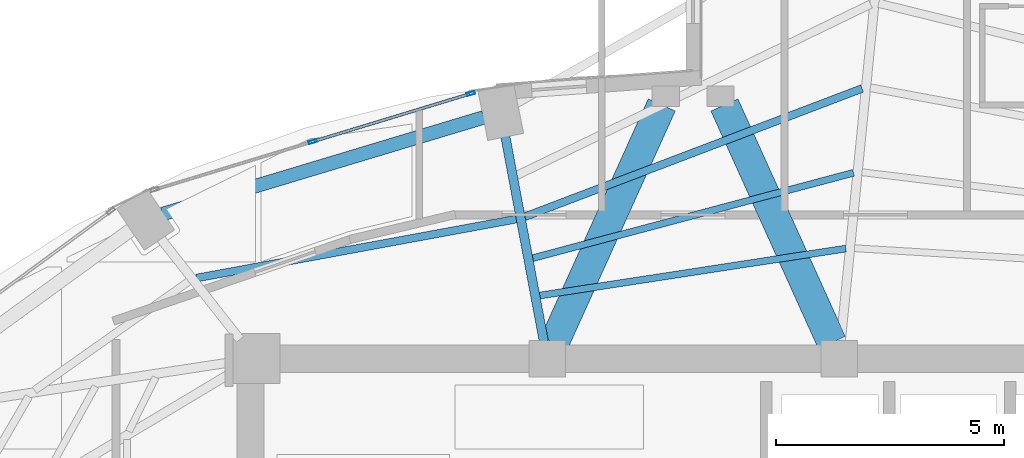
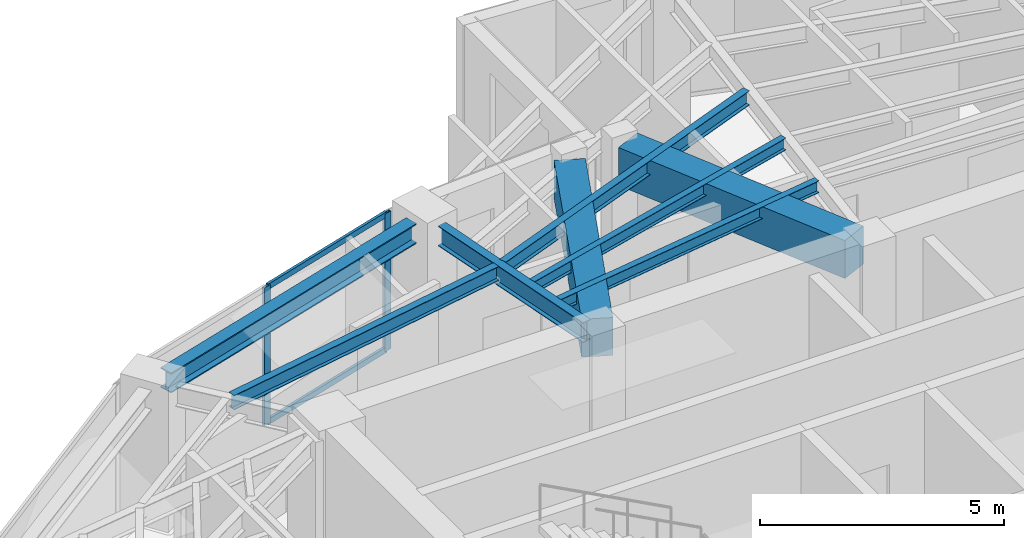
# One storey, part 11 of 23: 8 beams, 4 members, 1 element without a shape of its own.
"""IFC4 building model written with IfcOpenShell, lengths in metres."""

from ifc_helpers import new_model, si_unit, direction, frame, origin, origin_2d, place, context, subcontext, project, spatial, rectangle, hollow_rectangle, i_section, extrude, material, layer, layer_set, material_profile, profile_set, type_object, element, aggregate, save


model = new_model("IFC4")

# Units and contexts
model_context = context("Model", 3, precision=1e-05, world=origin(), true_north=direction((0.0, 1.0)))
body_context = subcontext(model_context, "Body", "Model", "MODEL_VIEW")
ifc_project = project(units=[si_unit("LENGTHUNIT", "METRE"), si_unit("AREAUNIT", "SQUARE_METRE"), si_unit("VOLUMEUNIT", "CUBIC_METRE"), si_unit("PLANEANGLEUNIT", "RADIAN"), si_unit("MASSUNIT", "GRAM", prefix="KILO")], contexts=[model_context])

# Site, building, storey
site_placement = place(None, origin())
site = spatial("IfcSite", under=ifc_project, at=site_placement, CompositionType="ELEMENT")
building_placement = place(site_placement, origin())
building = spatial("IfcBuilding", under=site, at=building_placement, Name="Lazwardi Medical Tower", CompositionType="ELEMENT")
storey_placement = place(building_placement, frame((0.0, 0.0, 198.47998046875)))
storey = spatial("IfcBuildingStorey", under=building, at=storey_placement, Name="L51", CompositionType="ELEMENT", Elevation=198.47998046875)

# Beams
ifc_material_1 = material(Name="Concrete C60/75", Category="concrete")
ifc_material_profile_1 = material_profile(ifc_material_1, rectangle(XDim=0.64990234375, YDim=0.949951171875, at=origin_2d()), Name="RC 650x950")
ifc_profile_set_1 = profile_set([ifc_material_profile_1], Name="Concrete C60/75")
beam_type_1 = type_object("IfcBeamType", Name="BM-CB-RC2", PredefinedType="LINTEL", material=ifc_profile_set_1)
for number, where, z_axis, x_axis, name in (
    (1, (32.95849609375, 35.95068359375, 2.972900390625), (0.412019279944, 0.911175127489, 0.0), (-0.911175127489, 0.412019279944, 0.0), "Core coupling lintel CB-02 PL1 L51"),
    (2, (39.04150390625, 35.95068359375, 2.972900390625), (-0.412019279944, 0.911175127489, 0.0), (-0.911175127489, -0.412019279944, 0.0), "Core coupling lintel CB-02 PL2 L51"),
):
    element("IfcBeam", number, at=place(storey_placement, frame(where, z_axis=z_axis, x_axis=x_axis)), inside=storey, type_object=beam_type_1, Name=name, PredefinedType="LINTEL", context=body_context, shape_type="SweptSolid", body=[
        extrude(rectangle(XDim=0.64990234375, YDim=0.949951171875, at=origin_2d()), origin(), (0.0, 0.0, 1.0), 5.7158203125),
    ])
ifc_material_2 = material(Name="Steel S355", Category="steel")
ifc_material_profile_2 = material_profile(ifc_material_2, i_section(OverallWidth=0.300048828125, OverallDepth=0.5, WebThickness=0.014404296875, FlangeThickness=0.028076171875, at=origin_2d()), Name="HEB 500")
ifc_profile_set_2 = profile_set([ifc_material_profile_2], Name="Steel S355")
beam_type_2 = type_object("IfcBeamType", Name="BM-RB-Z4", PredefinedType="BEAM", material=ifc_profile_set_2)
beam_1_placement = place(storey_placement, frame((31.41259765625, 40.885986328125, 3.197998046875), z_axis=(-0.957544311906, -0.288286126506, 0.0), x_axis=(0.288286126506, -0.957544311906, 0.0)))
element("IfcBeam", 3, at=beam_1_placement, inside=storey, type_object=beam_type_2, Name="Ring beam RB-05 B09 L51", PredefinedType="BEAM", context=body_context, shape_type="SweptSolid", body=[
    extrude(i_section(OverallWidth=0.300048828125, OverallDepth=0.5, WebThickness=0.014404296875, FlangeThickness=0.028076171875, at=origin_2d()), origin(), (0.0, 0.0, 1.0), 7.3515625),
])
ifc_material_profile_3 = material_profile(ifc_material_2, i_section(OverallWidth=0.199951171875, OverallDepth=0.5, WebThickness=0.01025390625, FlangeThickness=0.01611328125, at=origin_2d()), Name="IPE 500")
ifc_profile_set_3 = profile_set([ifc_material_profile_3], Name="Steel S355")
beam_type_3 = type_object("IfcBeamType", Name="BM-RG-W3", PredefinedType="BEAM", material=ifc_profile_set_3)
beam_2_placement = place(storey_placement, frame((31.884765625, 40.472412109375, 3.197998046875), z_axis=(0.184633463507, -0.982807450192, 0.0), x_axis=(0.982807450192, 0.184633463507, 0.0)))
element("IfcBeam", 4, at=beam_2_placement, inside=storey, type_object=beam_type_3, Name="Radial girder RG-04 R09 L51", PredefinedType="BEAM", context=body_context, shape_type="SweptSolid", body=[
    extrude(i_section(OverallWidth=0.199951171875, OverallDepth=0.5, WebThickness=0.01025390625, FlangeThickness=0.01611328125, at=origin_2d()), origin(), (0.0, 0.0, 1.0), 4.572509765625),
])
ifc_material_profile_4 = material_profile(ifc_material_2, i_section(OverallWidth=0.169921875, OverallDepth=0.360107421875, WebThickness=0.008056640625, FlangeThickness=0.0126953125, at=origin_2d()), Name="IPE 360")
ifc_profile_set_4 = profile_set([ifc_material_profile_4], Name="Steel S355")
beam_type_4 = type_object("IfcBeamType", Name="BM-SJ-02", PredefinedType="JOIST", material=ifc_profile_set_4)
beam_3_placement = place(storey_placement, frame((39.703125, 41.51904296875, 3.26806640625), z_axis=(-0.934714470268, -0.355399576633, 0.0), x_axis=(0.355399576633, -0.934714470268, 0.0)))
element("IfcBeam", 5, at=beam_3_placement, inside=storey, type_object=beam_type_4, Name="Secondary joist SJ-02 R2 B08 L51", PredefinedType="JOIST", context=body_context, shape_type="SweptSolid", body=[
    extrude(i_section(OverallWidth=0.169921875, OverallDepth=0.360107421875, WebThickness=0.008056640625, FlangeThickness=0.0126953125, at=origin_2d()), origin(), (0.0, 0.0, 1.0), 7.908203125),
])
beam_4_placement = place(storey_placement, frame((32.12890625, 38.65771484375, 3.26806640625), z_axis=(-0.983427965623, -0.181299300688, 0.0), x_axis=(0.181299300688, -0.983427965623, 0.0)))
element("IfcBeam", 6, at=beam_4_placement, inside=storey, type_object=beam_type_4, Name="Secondary joist SJ-02 R2 B09 L51", PredefinedType="JOIST", context=body_context, shape_type="SweptSolid", body=[
    extrude(i_section(OverallWidth=0.169921875, OverallDepth=0.360107421875, WebThickness=0.008056640625, FlangeThickness=0.0126953125, at=origin_2d()), origin(), (0.0, 0.0, 1.0), 7.127685546875),
])
ifc_material_profile_5 = material_profile(ifc_material_2, i_section(OverallWidth=0.14990234375, OverallDepth=0.300048828125, WebThickness=0.007080078125, FlangeThickness=0.0107421875, at=origin_2d()), Name="IPE 300")
ifc_profile_set_5 = profile_set([ifc_material_profile_5], Name="Steel S355")
beam_type_5 = type_object("IfcBeamType", Name="BM-SJ-03", PredefinedType="JOIST", material=ifc_profile_set_5)
beam_5_placement = place(storey_placement, frame((39.515380859375, 39.671875, 3.298095703125), z_axis=(-0.966369007826, -0.257159368316, 0.0), x_axis=(0.257159368316, -0.966369007826, 0.0)))
element("IfcBeam", 7, at=beam_5_placement, inside=storey, type_object=beam_type_5, Name="Secondary joist SJ-03 R3 B08 L51", PredefinedType="JOIST", context=body_context, shape_type="SweptSolid", body=[
    extrude(i_section(OverallWidth=0.14990234375, OverallDepth=0.300048828125, WebThickness=0.007080078125, FlangeThickness=0.0107421875, at=origin_2d()), origin(), (0.0, 0.0, 1.0), 7.27685546875),
])
beam_6_placement = place(storey_placement, frame((39.347412109375, 38.010986328125, 3.298095703125), z_axis=(-0.988433562862, -0.151654514629, 0.0), x_axis=(0.151654514629, -0.988433562862, 0.0)))
element("IfcBeam", 8, at=beam_6_placement, inside=storey, type_object=beam_type_5, Name="Secondary joist SJ-03 R4 B08 L51", PredefinedType="JOIST", context=body_context, shape_type="SweptSolid", body=[
    extrude(i_section(OverallWidth=0.14990234375, OverallDepth=0.300048828125, WebThickness=0.007080078125, FlangeThickness=0.0107421875, at=origin_2d()), origin(), (0.0, 0.0, 1.0), 6.788818359375),
])

# Curtain wall, members
ifc_material_3 = material(Name="Anodised bronze aluminium and solar control glazing", Category="aluminium")
ifc_layer = layer(ifc_material_3, 0.18994140625)
ifc_layer_set = layer_set([ifc_layer], Name="Anodised bronze aluminium and solar control glazing")
curtain_wall_type = type_object("IfcCurtainWallType", Name="CW-SYS-04", PredefinedType="NOTDEFINED", material=ifc_layer_set)
curtain_wall_placement = place(storey_placement, origin())
curtain_wall = element("IfcCurtainWall", 9, at=curtain_wall_placement, inside=storey, type_object=curtain_wall_type, Name="L51 Unitised bronze curtain wall CW-04", PredefinedType="NOTDEFINED")
ifc_material_4 = material(Name="Anodised bronze aluminium", Category="aluminium")
ifc_material_profile_6 = material_profile(ifc_material_4, hollow_rectangle(XDim=0.06494140625, YDim=0.179931640625, WallThickness=0.00390625, at=origin_2d()), Name="ALU-MULLION 180x65x4")
ifc_profile_set_6 = profile_set([ifc_material_profile_6], Name="Anodised bronze aluminium")
member_type_1 = type_object("IfcMemberType", Name="CW-MUL-03", PredefinedType="MULLION", material=ifc_profile_set_6)
member_1_placement = place(storey_placement, frame((31.126953125, 41.406982421875, 0.0), z_axis=(0.0, 0.0, 1.0), x_axis=(0.290581889515, -0.956850126972, 0.0)))
member_1 = element("IfcMember", 10, at=member_1_placement, type_object=member_type_1, Name="CW-04 mullion 1", PredefinedType="MULLION", context=body_context, shape_type="SweptSolid", body=[
    extrude(hollow_rectangle(XDim=0.06494140625, YDim=0.179931640625, WallThickness=0.00390625, at=origin_2d()), origin(), (0.0, 0.0, 1.0), 3.447998046875),
])
member_2_placement = place(storey_placement, frame((27.66357421875, 40.355224609375, 0.0), z_axis=(0.0, 0.0, 1.0), x_axis=(0.290581889515, -0.956850126972, 0.0)))
member_2 = element("IfcMember", 11, at=member_2_placement, type_object=member_type_1, Name="CW-04 mullion 2", PredefinedType="MULLION", context=body_context, shape_type="SweptSolid", body=[
    extrude(hollow_rectangle(XDim=0.06494140625, YDim=0.179931640625, WallThickness=0.00390625, at=origin_2d()), origin(), (0.0, 0.0, 1.0), 3.447998046875),
])
ifc_material_profile_7 = material_profile(ifc_material_4, hollow_rectangle(XDim=0.06494140625, YDim=0.139892578125, WallThickness=0.00341796875, at=origin_2d()), Name="ALU-TRANSOM 140x65x3.5")
ifc_profile_set_7 = profile_set([ifc_material_profile_7], Name="Anodised bronze aluminium")
member_type_2 = type_object("IfcMemberType", Name="CW-TRN-03", PredefinedType="USERDEFINED", material=ifc_profile_set_7)
member_3_placement = place(storey_placement, frame((31.095703125, 41.397705078125, 0.032470703125), z_axis=(-0.956843409009, -0.290604010015, 0.0), x_axis=(0.290604010015, -0.956843409009, 0.0)))
member_3 = element("IfcMember", 12, at=member_3_placement, type_object=member_type_2, Name="CW-04 transom 1.1", ObjectType="TRANSOM", PredefinedType="USERDEFINED", context=body_context, shape_type="SweptSolid", body=[
    extrude(hollow_rectangle(XDim=0.06494140625, YDim=0.139892578125, WallThickness=0.00341796875, at=origin_2d()), origin(), (0.0, 0.0, 1.0), 3.554443359375),
])
member_4_placement = place(storey_placement, frame((31.095703125, 41.397705078125, 3.41552734375), z_axis=(-0.956843409009, -0.290604010015, 0.0), x_axis=(0.290604010015, -0.956843409009, 0.0)))
member_4 = element("IfcMember", 13, at=member_4_placement, type_object=member_type_2, Name="CW-04 transom 1.2", ObjectType="TRANSOM", PredefinedType="USERDEFINED", context=body_context, shape_type="SweptSolid", body=[
    extrude(hollow_rectangle(XDim=0.06494140625, YDim=0.139892578125, WallThickness=0.00341796875, at=origin_2d()), origin(), (0.0, 0.0, 1.0), 3.554443359375),
])
aggregate(curtain_wall, [member_1, member_2, member_3, member_4])

save(model, "model.ifc")
